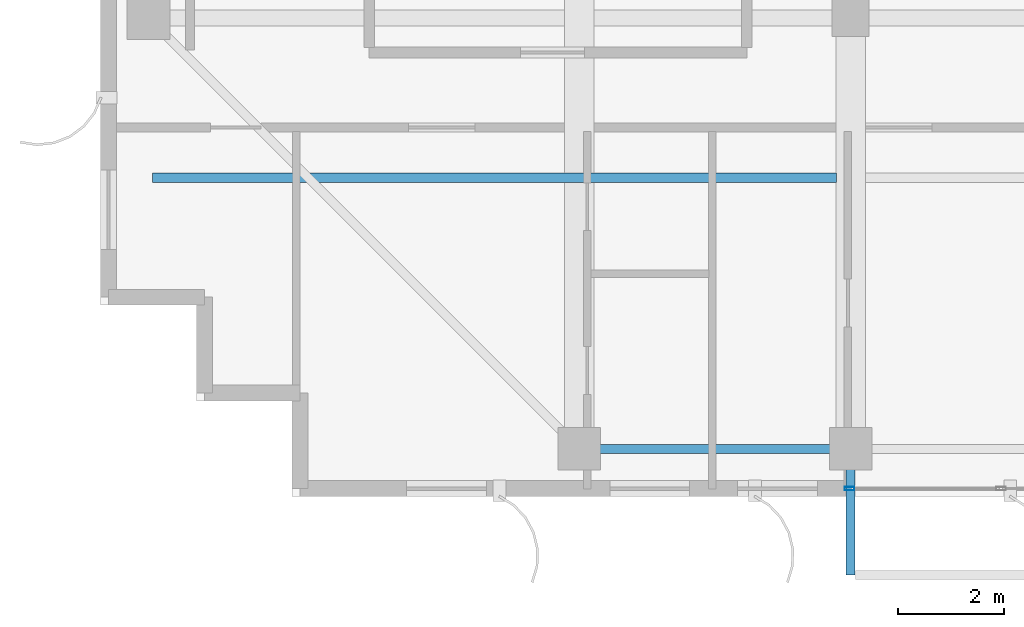
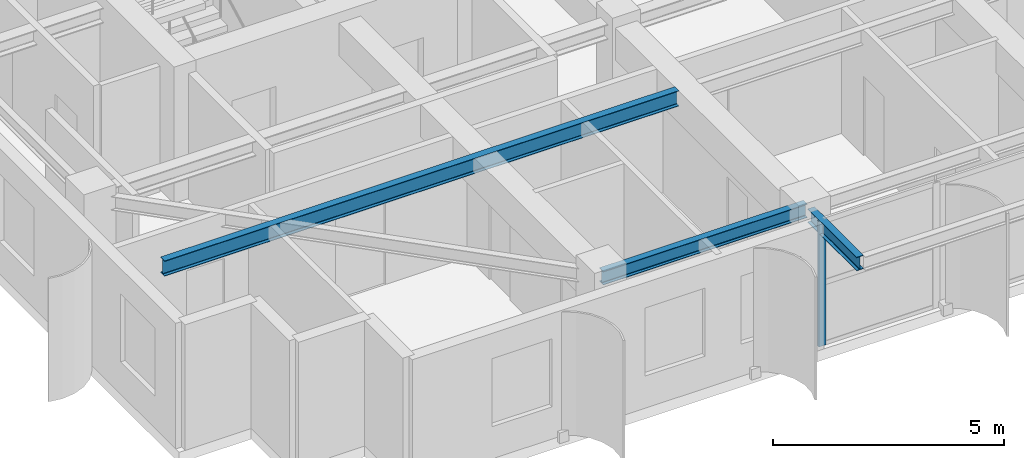
# One storey, part 2 of 23: 3 beams, 1 member, 1 element without a shape of its own.
"""IFC4 building model written with IfcOpenShell, lengths in metres."""

from ifc_helpers import new_model, si_unit, direction, frame, origin, origin_2d, place, context, subcontext, project, spatial, hollow_rectangle, i_section, extrude, source, transform, mapped, material, layer, layer_set, material_profile, profile_set, type_object, element, aggregate, save


model = new_model("IFC4")

# Units and contexts
model_context = context("Model", 3, precision=1e-05, world=origin(), true_north=direction((0.0, 1.0)))
body_context = subcontext(model_context, "Body", "Model", "MODEL_VIEW")
ifc_project = project(units=[si_unit("LENGTHUNIT", "METRE"), si_unit("AREAUNIT", "SQUARE_METRE"), si_unit("VOLUMEUNIT", "CUBIC_METRE"), si_unit("PLANEANGLEUNIT", "RADIAN"), si_unit("MASSUNIT", "GRAM", prefix="KILO")], contexts=[model_context])

# Site, building, storey
site_placement = place(None, origin())
site = spatial("IfcSite", under=ifc_project, at=site_placement, CompositionType="ELEMENT")
building_placement = place(site_placement, origin())
building = spatial("IfcBuilding", under=site, at=building_placement, Name="Khoralis Quay Care Tower", CompositionType="ELEMENT")
storey_placement = place(building_placement, frame((0.0, 0.0, 270.89990234375)))
storey = spatial("IfcBuildingStorey", under=building, at=storey_placement, Name="L71", CompositionType="ELEMENT", Elevation=270.89990234375)

# Beams
ifc_material_1 = material(Name="Steel S355", Category="steel")
ifc_material_profile_1 = material_profile(ifc_material_1, i_section(OverallWidth=0.169921875, OverallDepth=0.360107421875, WebThickness=0.008056640625, FlangeThickness=0.0126953125, FilletRadius=0.01806640625, at=origin_2d()), Name="Steel S355")
ifc_profile_set_1 = profile_set([ifc_material_profile_1], Name="Steel S355")
beam_type_1 = type_object("IfcBeamType", Name="BM-IPE360", PredefinedType="SPANDREL", material=ifc_profile_set_1)
shared_shape_1 = source(origin(), body_context, "Body", "SweptSolid", [
    extrude(i_section(OverallWidth=0.169921875, OverallDepth=0.360107421875, WebThickness=0.008056640625, FlangeThickness=0.0126953125, FilletRadius=0.01806640625, at=origin_2d()), origin(), (0.0, 0.0, 1.0), 5.10009765625),
])
beam_1_placement = place(storey_placement, frame((12.0, 3.89990234375, 3.14013671875), z_axis=(1.0, 0.0, 0.0), x_axis=(0.0, 1.0, 0.0)))
element("IfcBeam", 1, at=beam_1_placement, inside=storey, type_object=beam_type_1, Name="BM-TSP-L71-01", PredefinedType="SPANDREL", context=body_context, shape_type="MappedRepresentation", body=[
    mapped(shared_shape_1, transform((0.0, 0.0, 0.0), scale=1.0)),
])
ifc_material_profile_2 = material_profile(ifc_material_1, i_section(OverallWidth=0.177978515625, OverallDepth=0.406982421875, WebThickness=0.0078125, FlangeThickness=0.0126953125, FilletRadius=0.012939453125, at=origin_2d()), Name="Steel S355")
ifc_profile_set_2 = profile_set([ifc_material_profile_2], Name="Steel S355")
beam_type_2 = type_object("IfcBeamType", Name="BM-W410X60", PredefinedType="JOIST", material=ifc_profile_set_2)
shared_shape_2 = source(origin(), body_context, "Body", "SweptSolid", [
    extrude(i_section(OverallWidth=0.177978515625, OverallDepth=0.406982421875, WebThickness=0.0078125, FlangeThickness=0.0126953125, FilletRadius=0.012939453125, at=origin_2d()), origin(), (0.0, 0.0, 1.0), 12.865966796875),
])
beam_2_placement = place(storey_placement, frame((3.970947265625, 9.0, 3.11669921875), z_axis=(1.0, 0.0, 0.0), x_axis=(0.0, 1.0, 0.0)))
element("IfcBeam", 2, at=beam_2_placement, inside=storey, type_object=beam_type_2, Name="BM-TJS-L71-21", PredefinedType="JOIST", context=body_context, shape_type="MappedRepresentation", body=[
    mapped(shared_shape_2, transform((0.0, 0.0, 0.0), scale=1.0)),
])

# Curtain wall, member
ifc_material_2 = material(Name="Pale anodised aluminium", Category="aluminium")
ifc_layer = layer(ifc_material_2, 0.159912109375)
ifc_layer_set = layer_set([ifc_layer], Name="Pale anodised aluminium")
curtain_wall_type = type_object("IfcCurtainWallType", Name="CW-SYS-Z3", PredefinedType="NOTDEFINED", material=ifc_layer_set)
curtain_wall_placement = place(storey_placement, origin())
curtain_wall = element("IfcCurtainWall", 3, at=curtain_wall_placement, inside=storey, type_object=curtain_wall_type, Name="L71 Unitised Curtain Wall CW-L71-P1-E0", PredefinedType="NOTDEFINED")
ifc_material_profile_3 = material_profile(ifc_material_2, hollow_rectangle(XDim=0.06494140625, YDim=0.179931640625, WallThickness=0.00390625, at=origin_2d()), Name="Pale anodised aluminium")
ifc_profile_set_3 = profile_set([ifc_material_profile_3], Name="Pale anodised aluminium")
member_type = type_object("IfcMemberType", Name="CW-MUL-180", PredefinedType="MULLION", material=ifc_profile_set_3)
shared_shape_3 = source(origin(), body_context, "Body", "SweptSolid", [
    extrude(hollow_rectangle(XDim=0.06494140625, YDim=0.179931640625, WallThickness=0.00390625, at=origin_2d()), origin(), (0.0, 0.0, 1.0), 3.320068359375),
])
member_placement = place(storey_placement, frame((17.080078125, 3.14990234375, 0.0), z_axis=(0.0, 0.0, 1.0), x_axis=(0.0, 1.0, 0.0)))
member = element("IfcMember", 4, at=member_placement, type_object=member_type, Name="CW3 mullion 1", PredefinedType="MULLION", context=body_context, shape_type="MappedRepresentation", body=[
    mapped(shared_shape_3, transform((0.0, 0.0, 0.0), scale=1.0)),
])
aggregate(curtain_wall, [member])

# Beam
shared_shape_4 = source(origin(), body_context, "Body", "SweptSolid", [
    extrude(i_section(OverallWidth=0.169921875, OverallDepth=0.360107421875, WebThickness=0.008056640625, FlangeThickness=0.0126953125, FilletRadius=0.01806640625, at=origin_2d()), origin(), (0.0, 0.0, 1.0), 2.119873046875),
])
beam_3_placement = place(storey_placement, frame((17.10009765625, 3.64990234375, 3.14404296875), z_axis=(0.0, -1.0, 0.0), x_axis=(1.0, 0.0, 0.0)))
element("IfcBeam", 5, at=beam_3_placement, inside=storey, type_object=beam_type_1, Name="L72 Balcony Cantilever Outrigger Beam 1", PredefinedType="SPANDREL", context=body_context, shape_type="MappedRepresentation", body=[
    mapped(shared_shape_4, transform((0.0, 0.0, 0.0), scale=1.0)),
])

save(model, "model.ifc")
